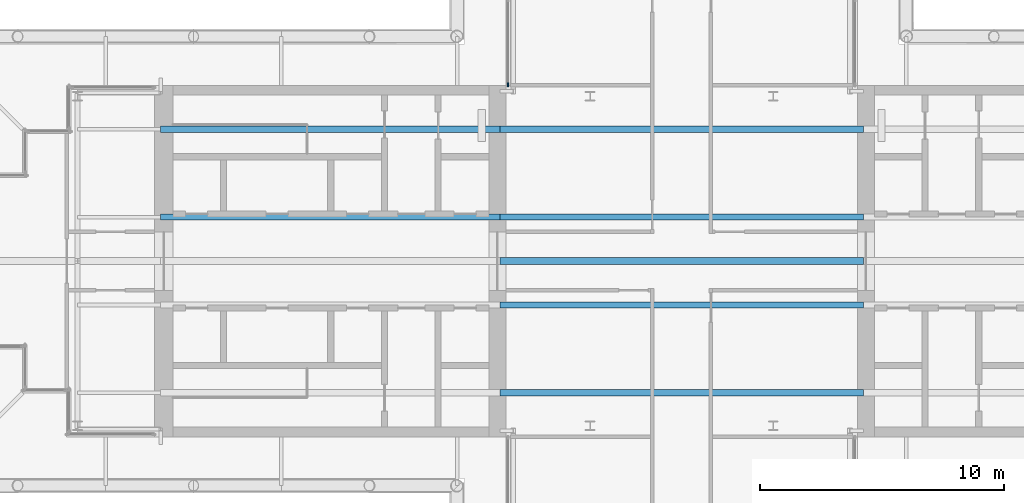
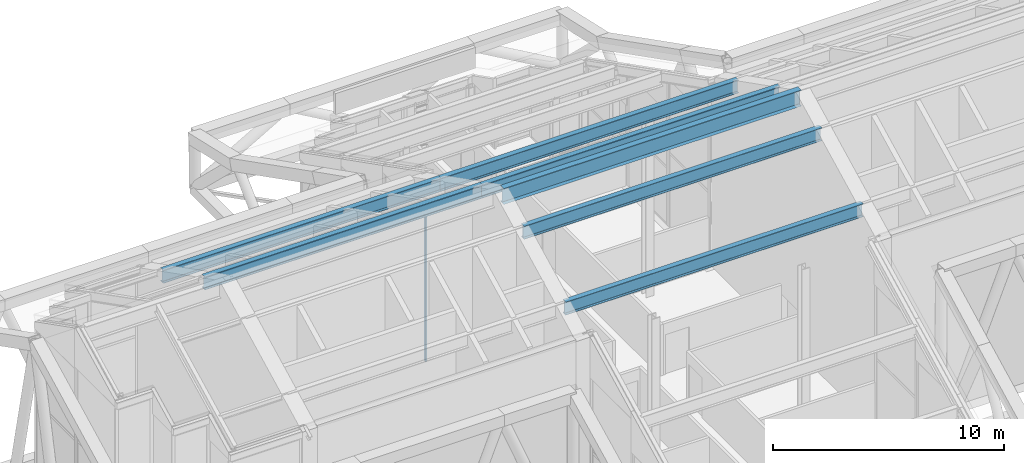
# One storey, part 8 of 25: 7 beams, 1 member, 1 element without a shape of its own.
"""IFC4 building model written with IfcOpenShell, lengths in metres."""

import ifcopenshell
import ifcopenshell.guid

model = None  # the IFC model being written
_history = None  # IfcOwnerHistory: only IFC2X3 demands one
_inside = {}  # id of a spatial element -> (the spatial element, [elements in it])
_under = {}  # id of a project, library or spatial element -> (it, [spatial elements below it])
_declared = {}  # id of a project -> (the project, [libraries it declares])
_typed = {}  # id of a type object -> (the type object, [elements of that type])
_made_of = {}  # id of a material, layer set ... -> (it, [elements and type objects made of it])


def new_model(schema):
    """Start an empty IFC model of exactly this schema.

    Asked for "IFC4X3", IfcOpenShell would pick the latest addendum, in which some entities
    have other attributes; the version numbers below select the first issue.
    IFC2X3 requires an IfcOwnerHistory on every rooted entity: one is made here for all.
    """
    global model, _history
    if schema == "IFC4X3":
        model = ifcopenshell.file(schema_version=(4, 3, 0, 0))
    else:
        model = ifcopenshell.file(schema=schema)
    _inside.clear()
    _under.clear()
    _declared.clear()
    _typed.clear()
    _made_of.clear()
    _history = None
    if model.schema == "IFC2X3":
        org = make("IfcOrganization", Name="unknown")
        user = make(
            "IfcPersonAndOrganization",
            ThePerson=make("IfcPerson", FamilyName="unknown"),
            TheOrganization=org,
        )
        app = make(
            "IfcApplication",
            ApplicationDeveloper=org,
            Version="unknown",
            ApplicationFullName="unknown",
            ApplicationIdentifier="unknown",
        )
        _history = make(
            "IfcOwnerHistory",
            OwningUser=user,
            OwningApplication=app,
            ChangeAction="ADDED",
            CreationDate=0,
        )
    return model


def make(cls, **values):
    """One entity of the class cls with the attributes given. An attribute that is None is left unset."""
    return model.create_entity(
        cls, **{name: value for name, value in values.items() if value is not None}
    )


def rooted(cls, **values):
    """An entity with a GlobalId (a new one), such as an element, a storey or a relation."""
    return make(cls, GlobalId=ifcopenshell.guid.new(), OwnerHistory=_history, **values)


def si_unit(unit_type, name, prefix=None):
    """IfcSIUnit, for example si_unit("LENGTHUNIT", "METRE", prefix="MILLI")."""
    return make("IfcSIUnit", UnitType=unit_type, Prefix=prefix, Name=name)


def assignment(units):
    """IfcUnitAssignment: the units of a project."""
    return None if units is None else make("IfcUnitAssignment", Units=units)


def point(xyz):
    """IfcCartesianPoint."""
    return None if xyz is None else make("IfcCartesianPoint", Coordinates=xyz)


def direction(xyz):
    """IfcDirection."""
    return None if xyz is None else make("IfcDirection", DirectionRatios=xyz)


def frame(location, z_axis=None, x_axis=None):
    """IfcAxis2Placement3D, a coordinate frame: its origin and axes. An axis left out is left unset."""
    return make(
        "IfcAxis2Placement3D",
        Location=point(location),
        Axis=direction(z_axis),
        RefDirection=direction(x_axis),
    )


def frame_2d(location, x_axis=None):
    """IfcAxis2Placement2D, a coordinate frame in the plane: its origin and x axis."""
    return make(
        "IfcAxis2Placement2D", Location=point(location), RefDirection=direction(x_axis)
    )


def origin():
    """The frame at (0, 0, 0) with its axes left unset."""
    return frame((0.0, 0.0, 0.0))


def origin_2d():
    """The frame at (0, 0) in the plane with its x axis left unset."""
    return frame_2d((0.0, 0.0))


def place(relative_to, where):
    """IfcLocalPlacement: puts the frame where relative to a parent placement (None: the world)."""
    return make(
        "IfcLocalPlacement", PlacementRelTo=relative_to, RelativePlacement=where
    )


def context(
    kind, dimensions, precision=None, world=None, true_north=None, identifier=None
):
    """IfcGeometricRepresentationContext, for example the 3D "Model" context."""
    return make(
        "IfcGeometricRepresentationContext",
        ContextIdentifier=identifier,
        ContextType=kind,
        CoordinateSpaceDimension=dimensions,
        Precision=precision,
        WorldCoordinateSystem=world,
        TrueNorth=true_north,
    )


def subcontext(parent, identifier, kind, view, scale=None):
    """IfcGeometricRepresentationSubContext, for example "Body" below "Model"."""
    return make(
        "IfcGeometricRepresentationSubContext",
        ContextIdentifier=identifier,
        ContextType=kind,
        ParentContext=parent,
        TargetScale=scale,
        TargetView=view,
    )


def project(units=None, contexts=None):
    """IfcProject with its units and contexts."""
    return rooted(
        "IfcProject",
        Name="project",
        RepresentationContexts=contexts,
        UnitsInContext=assignment(units),
    )


def spatial(cls, under=None, at=None, **own):
    """A site, building, storey or space (cls), placed at a placement, below another one or the project."""
    s = rooted(cls, ObjectPlacement=at, **own)
    if under is not None:
        _under.setdefault(under.id(), (under, []))[1].append(s)
    return s


def profile(cls, at=None, kind="AREA", **sizes):
    """A parametric profile (cls). Its sizes go by their IFC names, for example OverallWidth=200.0."""
    return make(cls, ProfileType=kind, Position=at, **sizes)


def rectangle(**sizes):
    """IfcRectangleProfileDef."""
    return profile("IfcRectangleProfileDef", **sizes)


def i_section(**sizes):
    """IfcIShapeProfileDef."""
    return profile("IfcIShapeProfileDef", **sizes)


def extrude(swept, where, along, depth):
    """IfcExtrudedAreaSolid: the profile swept, set in the frame where, extruded along a direction by depth."""
    return make(
        "IfcExtrudedAreaSolid",
        SweptArea=swept,
        Position=where,
        ExtrudedDirection=direction(along),
        Depth=depth,
    )


def shape(context_of_items, identifier, shape_type, items):
    """IfcShapeRepresentation: the items that make up one representation, for example the "Body"."""
    return make(
        "IfcShapeRepresentation",
        ContextOfItems=context_of_items,
        RepresentationIdentifier=identifier,
        RepresentationType=shape_type,
        Items=items,
    )


def material(Name=None, Category=None):
    """IfcMaterial."""
    return make("IfcMaterial", Name=Name, Category=Category)


def material_profile(
    of_material, cross_section, Name=None, Category=None, Priority=None
):
    """IfcMaterialProfile: a cross section and its material."""
    return make(
        "IfcMaterialProfile",
        Name=Name,
        Material=of_material,
        Profile=cross_section,
        Priority=Priority,
        Category=Category,
    )


def profile_set(profiles, Name=None, composite=None):
    """IfcMaterialProfileSet."""
    return make(
        "IfcMaterialProfileSet",
        Name=Name,
        MaterialProfiles=profiles,
        CompositeProfile=composite,
    )


def made_of(thing, what):
    """Note that an element or type object is made of a material, layer set ...; save() writes the relation."""
    if what is not None:
        _made_of.setdefault(what.id(), (what, []))[1].append(thing)
    return thing


def type_object(cls, material=None, **own):
    """A type object (cls), such as IfcWallType, which elements share."""
    return made_of(rooted(cls, **own), material)


def element(
    cls,
    number,
    at=None,
    inside=None,
    cuts=None,
    type_object=None,
    material=None,
    context=None,
    identifier="Body",
    shape_type=None,
    held_by="IfcProductDefinitionShape",
    body=None,
    shapes=None,
    **own,
):
    """One element of the class cls, such as IfcWall. Its Tag is "e" and its number.

    at: its placement. inside: the storey or other place that contains it. cuts: it is an
    opening in that element (IfcRelVoidsElement). A single representation is given by context,
    identifier, shape_type and body (its items); several are given by shapes. held_by: the class
    of the entity that holds the representations. save() writes the other relations.
    """
    e = rooted(cls, Tag="e%d" % number, ObjectPlacement=at, **own)
    if body is not None:
        shapes = [shape(context, identifier, shape_type, body)]
    if shapes is not None:
        e.Representation = make(held_by, Representations=shapes)
    if inside is not None:
        _inside.setdefault(inside.id(), (inside, []))[1].append(e)
    if cuts is not None:
        rooted(
            "IfcRelVoidsElement", RelatingBuildingElement=cuts, RelatedOpeningElement=e
        )
    if type_object is not None:
        _typed.setdefault(type_object.id(), (type_object, []))[1].append(e)
    return made_of(e, material)


def aggregate(whole, parts):
    """IfcRelAggregates: a whole, such as a stair, and the parts it consists of."""
    return rooted("IfcRelAggregates", RelatingObject=whole, RelatedObjects=parts)


def save(model, path):
    """Write the relations noted so far, then the file.

    IfcRelAggregates (storeys below a building ...), IfcRelContainedInSpatialStructure (elements
    in a storey), IfcRelDefinesByType, IfcRelAssociatesMaterial and IfcRelDeclares: one each for
    every whole, place, type object, material and project.
    """
    for whole, parts in _under.values():
        aggregate(whole, parts)
    for where, things in _inside.values():
        rooted(
            "IfcRelContainedInSpatialStructure",
            RelatedElements=things,
            RelatingStructure=where,
        )
    for kind, things in _typed.values():
        rooted("IfcRelDefinesByType", RelatedObjects=things, RelatingType=kind)
    for what, things in _made_of.values():
        rooted("IfcRelAssociatesMaterial", RelatedObjects=things, RelatingMaterial=what)
    for by, libraries in _declared.values():
        rooted("IfcRelDeclares", RelatingContext=by, RelatedDefinitions=libraries)
    model.write(path)


model = new_model("IFC4")

# Units and contexts
model_context = context("Model", 3, precision=1e-05, world=origin(), true_north=direction((0.0, 1.0)))
body_context = subcontext(model_context, "Body", "Model", "MODEL_VIEW")
ifc_project = project(units=[si_unit("LENGTHUNIT", "METRE"), si_unit("AREAUNIT", "SQUARE_METRE"), si_unit("VOLUMEUNIT", "CUBIC_METRE"), si_unit("PLANEANGLEUNIT", "RADIAN"), si_unit("MASSUNIT", "GRAM", prefix="KILO")], contexts=[model_context])

# Site, building, storey
site_placement = place(None, origin())
site = spatial("IfcSite", under=ifc_project, at=site_placement, CompositionType="ELEMENT")
building_placement = place(site_placement, origin())
building = spatial("IfcBuilding", under=site, at=building_placement, Name="Fustian Cross Tower", CompositionType="ELEMENT")
storey_placement = place(building_placement, frame((0.0, 0.0, 247.5)))
storey = spatial("IfcBuildingStorey", under=building, at=storey_placement, Name="L77", CompositionType="ELEMENT", Elevation=247.5)

# Curtain wall, member
ifc_material_1 = material(Name="Glass", Category="glass")
curtain_wall_type = type_object("IfcCurtainWallType", Name="CW6 CURTAIN WALL", PredefinedType="NOTDEFINED", material=ifc_material_1)
curtain_wall_placement = place(storey_placement, origin())
curtain_wall = element("IfcCurtainWall", 1, at=curtain_wall_placement, inside=storey, type_object=curtain_wall_type, Name="Curtain wall CW6", PredefinedType="NOTDEFINED")
ifc_material_2 = material(Name="Aluminium alloy 6063", Category="aluminium")
ifc_material_profile_1 = material_profile(ifc_material_2, rectangle(XDim=0.06005859375, YDim=0.159912109375, at=origin_2d()), Name="CW6 MULLION 60x160")
ifc_profile_set_1 = profile_set([ifc_material_profile_1], Name="Aluminium alloy 6063")
member_type = type_object("IfcMemberType", Name="CW6 MULLION 60x160", PredefinedType="MULLION", material=ifc_profile_set_1)
member_placement = place(storey_placement, frame((-7.110107421875, 7.22998046875, 0.0), z_axis=(0.0, 0.0, 1.0), x_axis=(1.0, 0.0, 0.0)))
member = element("IfcMember", 2, at=member_placement, type_object=member_type, Name="CW6 mullion 2", PredefinedType="MULLION", context=body_context, shape_type="SweptSolid", body=[
    extrude(rectangle(XDim=0.06005859375, YDim=0.159912109375, at=origin_2d()), origin(), (0.0, 0.0, 1.0), 7.85009765625),
])
aggregate(curtain_wall, [member])

# Beams
ifc_material_3 = material(Name="Steel S355", Category="steel")
ifc_material_profile_2 = material_profile(ifc_material_3, i_section(OverallWidth=0.293701171875, OverallDepth=0.850830078125, WebThickness=0.01611328125, FlangeThickness=0.02685546875, FilletRadius=0.017822265625, at=origin_2d()), Name="UB 838x292x226")
ifc_profile_set_2 = profile_set([ifc_material_profile_2], Name="Steel S355")
beam_type_1 = type_object("IfcBeamType", Name="RIDGE GIRDER UB 838x292x226 S355", PredefinedType="BEAM", material=ifc_profile_set_2)
beam_1_placement = place(storey_placement, frame((-7.449951171875, 0.0, 13.2744140625), z_axis=(1.0, 0.0, 0.0), x_axis=(0.0, 1.0, 0.0)))
element("IfcBeam", 3, at=beam_1_placement, inside=storey, type_object=beam_type_1, Name="RIDGE GIRDER 059", PredefinedType="BEAM", context=body_context, shape_type="SweptSolid", body=[
    extrude(i_section(OverallWidth=0.293701171875, OverallDepth=0.850830078125, WebThickness=0.01611328125, FlangeThickness=0.02685546875, FilletRadius=0.017822265625, at=origin_2d()), origin(), (0.0, 0.0, 1.0), 14.89990234375),
])
ifc_material_4 = material(Name="Steel S355", Category="steel")
ifc_material_profile_3 = material_profile(ifc_material_4, i_section(OverallWidth=0.255859375, OverallDepth=0.69287109375, WebThickness=0.014404296875, FlangeThickness=0.023681640625, FilletRadius=0.01513671875, at=origin_2d()), Name="UB 686x254x170")
ifc_profile_set_3 = profile_set([ifc_material_profile_3], Name="Steel S355")
beam_type_2 = type_object("IfcBeamType", Name="ROOF PURLIN UB 686x254x170 S355", PredefinedType="BEAM", material=ifc_profile_set_3)
for number, where, z_axis, x_axis, name in (
    (4, (-7.449951171875, -5.39990234375, 10.603515625), (1.0, 0.0, 0.0), (0.0, 1.0, 0.0), "ROOF BEAM 038"),
    (5, (-7.449951171875, -1.800048828125, 12.43701171875), (1.0, 0.0, 0.0), (0.0, 1.0, 0.0), "ROOF BEAM 043"),
):
    element("IfcBeam", number, at=place(storey_placement, frame(where, z_axis=z_axis, x_axis=x_axis)), inside=storey, type_object=beam_type_2, Name=name, PredefinedType="BEAM", context=body_context, shape_type="SweptSolid", body=[
        extrude(i_section(OverallWidth=0.255859375, OverallDepth=0.69287109375, WebThickness=0.014404296875, FlangeThickness=0.023681640625, FilletRadius=0.01513671875, at=origin_2d()), origin(), (0.0, 0.0, 1.0), 14.89990234375),
    ])
beam_2_placement = place(storey_placement, frame((-21.35009765625, 1.800048828125, 12.43701171875), z_axis=(1.0, 0.0, 0.0), x_axis=(0.0, 1.0, 0.0)))
element("IfcBeam", 6, at=beam_2_placement, inside=storey, type_object=beam_type_2, Name="ROOF BEAM 047", PredefinedType="BEAM", context=body_context, shape_type="SweptSolid", body=[
    extrude(i_section(OverallWidth=0.255859375, OverallDepth=0.69287109375, WebThickness=0.014404296875, FlangeThickness=0.023681640625, FilletRadius=0.01513671875, at=origin_2d()), origin(), (0.0, 0.0, 1.0), 13.900146484375),
])
beam_3_placement = place(storey_placement, frame((-7.449951171875, 1.800048828125, 12.43701171875), z_axis=(1.0, 0.0, 0.0), x_axis=(0.0, 1.0, 0.0)))
element("IfcBeam", 7, at=beam_3_placement, inside=storey, type_object=beam_type_2, Name="ROOF BEAM 048", PredefinedType="BEAM", context=body_context, shape_type="SweptSolid", body=[
    extrude(i_section(OverallWidth=0.255859375, OverallDepth=0.69287109375, WebThickness=0.014404296875, FlangeThickness=0.023681640625, FilletRadius=0.01513671875, at=origin_2d()), origin(), (0.0, 0.0, 1.0), 14.89990234375),
])
beam_4_placement = place(storey_placement, frame((-21.35009765625, 5.39990234375, 10.603515625), z_axis=(1.0, 0.0, 0.0), x_axis=(0.0, 1.0, 0.0)))
element("IfcBeam", 8, at=beam_4_placement, inside=storey, type_object=beam_type_2, Name="ROOF BEAM 052", PredefinedType="BEAM", context=body_context, shape_type="SweptSolid", body=[
    extrude(i_section(OverallWidth=0.255859375, OverallDepth=0.69287109375, WebThickness=0.014404296875, FlangeThickness=0.023681640625, FilletRadius=0.01513671875, at=origin_2d()), origin(), (0.0, 0.0, 1.0), 13.900146484375),
])
beam_5_placement = place(storey_placement, frame((-7.449951171875, 5.39990234375, 10.603515625), z_axis=(1.0, 0.0, 0.0), x_axis=(0.0, 1.0, 0.0)))
element("IfcBeam", 9, at=beam_5_placement, inside=storey, type_object=beam_type_2, Name="ROOF BEAM 053", PredefinedType="BEAM", context=body_context, shape_type="SweptSolid", body=[
    extrude(i_section(OverallWidth=0.255859375, OverallDepth=0.69287109375, WebThickness=0.014404296875, FlangeThickness=0.023681640625, FilletRadius=0.01513671875, at=origin_2d()), origin(), (0.0, 0.0, 1.0), 14.89990234375),
])

save(model, "model.ifc")
